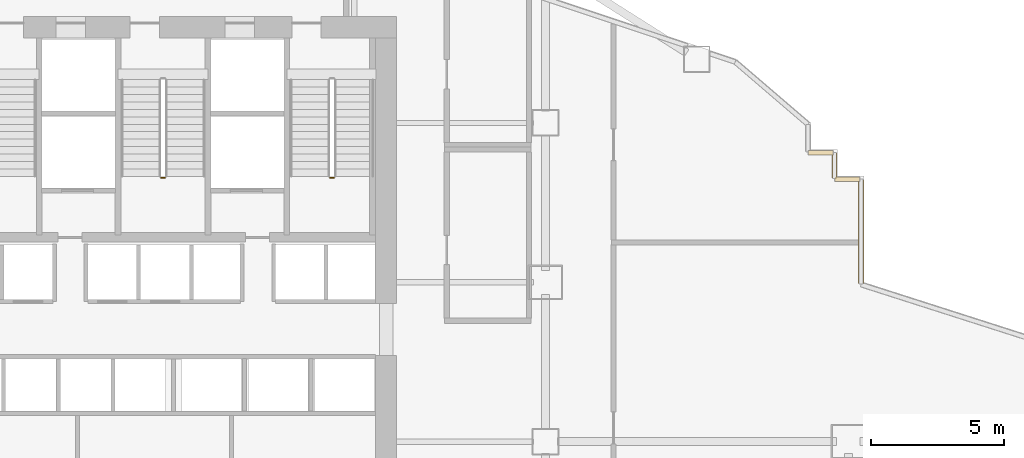
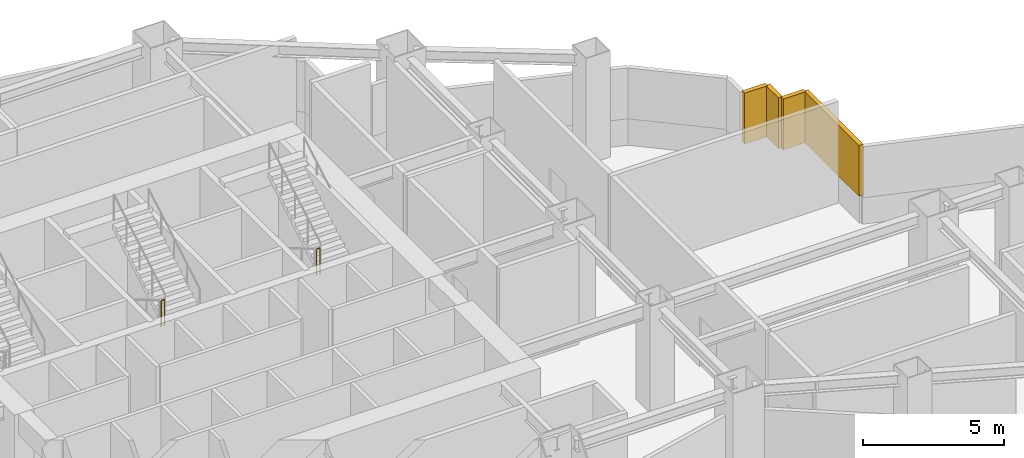
# One storey, part 9 of 12: 4 shading devices, 2 railings.
"""IFC4 building model written with IfcOpenShell, lengths in metres."""

from ifc_helpers import new_model, si_unit, direction, frame, origin, origin_2d, place, context, subcontext, project, spatial, rectangle, circle, extrude, material, type_object, element, save


model = new_model("IFC4")

# Units and contexts
model_context = context("Model", 3, precision=1e-05, world=origin(), true_north=direction((0.0, 1.0)))
body_context = subcontext(model_context, "Body", "Model", "MODEL_VIEW")
ifc_project = project(units=[si_unit("LENGTHUNIT", "METRE"), si_unit("AREAUNIT", "SQUARE_METRE"), si_unit("VOLUMEUNIT", "CUBIC_METRE"), si_unit("PLANEANGLEUNIT", "RADIAN"), si_unit("MASSUNIT", "GRAM", prefix="KILO")], contexts=[model_context])

# Site, building, storey
site_placement = place(None, origin())
site = spatial("IfcSite", under=ifc_project, at=site_placement, CompositionType="ELEMENT")
building_placement = place(site_placement, origin())
building = spatial("IfcBuilding", under=site, at=building_placement, Name="Haolan Belvedere Tower", CompositionType="ELEMENT")
storey_placement = place(building_placement, frame((0.0, 0.0, 43.0)))
storey = spatial("IfcBuildingStorey", under=building, at=storey_placement, Name="L10", CompositionType="ELEMENT", Elevation=43.0)

# Railings
ifc_material_1 = material(Name="Brushed stainless steel 304", Category="steel")
railing_type = type_object("IfcRailingType", Name="RL-STAIR-GRD-1150", PredefinedType="GUARDRAIL", material=ifc_material_1)
railing_1_placement = place(storey_placement, frame((38.330078125, 37.5400390625, 2.300048828125)))
element("IfcRailing", 1, at=railing_1_placement, inside=storey, type_object=railing_type, Name="L10 ST3 stair guard 2", PredefinedType="GUARDRAIL", context=body_context, shape_type="SweptSolid", body=[
    extrude(circle(Radius=0.02392578125, at=origin_2d()), frame((0.0, 0.0, 1.1259765625), z_axis=(1.0, 0.0, 0.0), x_axis=(0.0, 1.0, 0.0)), (0.0, 0.0, 1.0), 0.139892578125),
    extrude(circle(Radius=0.02099609375, at=origin_2d()), origin(), (0.0, 0.0, 1.0), 1.101806640625),
    extrude(circle(Radius=0.02099609375, at=origin_2d()), frame((0.139892578125, 0.0, 0.0)), (0.0, 0.0, 1.0), 1.101806640625),
])
railing_2_placement = place(storey_placement, frame((44.68994140625, 37.5400390625, 2.300048828125)))
element("IfcRailing", 2, at=railing_2_placement, inside=storey, type_object=railing_type, Name="L10 ST2 stair guard 2", PredefinedType="GUARDRAIL", context=body_context, shape_type="SweptSolid", body=[
    extrude(circle(Radius=0.02392578125, at=origin_2d()), frame((0.0, 0.0, 1.1259765625), z_axis=(1.0, 0.0, 0.0), x_axis=(0.0, 1.0, 0.0)), (0.0, 0.0, 1.0), 0.14013671875),
    extrude(circle(Radius=0.02099609375, at=origin_2d()), origin(), (0.0, 0.0, 1.0), 1.101806640625),
    extrude(circle(Radius=0.02099609375, at=origin_2d()), frame((0.14013671875, 0.0, 0.0)), (0.0, 0.0, 1.0), 1.101806640625),
])

# Shading devices
ifc_material_2 = material(Name="Anodised champagne-silver aluminium 6063-T6", Category="aluminium")
shading_device_type = type_object("IfcShadingDeviceType", Name="SHD-LOUV-180", PredefinedType="JALOUSIE", material=ifc_material_2)
shading_device_placement = place(storey_placement, frame((64.679931640625, 35.51123046875, 1.14990234375), z_axis=(0.0, 0.0, 1.0), x_axis=(0.0, 1.0, 0.0)))
element("IfcShadingDevice", 3, at=shading_device_placement, inside=storey, type_object=shading_device_type, Name="L10 refuge storm-proof louvre bank 29.1", PredefinedType="JALOUSIE", context=body_context, shape_type="SweptSolid", body=[
    extrude(rectangle(XDim=3.897705078125, YDim=0.179931640625, at=origin_2d()), origin(), (0.0, 0.0, 1.0), 2.199951171875),
])
for number, where, z_axis, x_axis, name in (
    (4, (64.1650390625, 37.47998046875, 1.14990234375), (0.0, 0.0, 1.0), (-1.0, 0.0, 0.0), "L10 refuge storm-proof louvre bank 30.1"),
    (5, (63.679931640625, 37.9951171875, 1.14990234375), (0.0, 0.0, 1.0), (0.0, 1.0, 0.0), "L10 refuge storm-proof louvre bank 31.1"),
    (6, (63.1650390625, 38.47998046875, 1.14990234375), (0.0, 0.0, 1.0), (-1.0, 0.0, 0.0), "L10 refuge storm-proof louvre bank 32.1"),
):
    element("IfcShadingDevice", number, at=place(storey_placement, frame(where, z_axis=z_axis, x_axis=x_axis)), inside=storey, type_object=shading_device_type, Name=name, PredefinedType="JALOUSIE", context=body_context, shape_type="SweptSolid", body=[
        extrude(rectangle(XDim=0.929931640625, YDim=0.179931640625, at=origin_2d()), origin(), (0.0, 0.0, 1.0), 2.199951171875),
    ])

save(model, "model.ifc")
